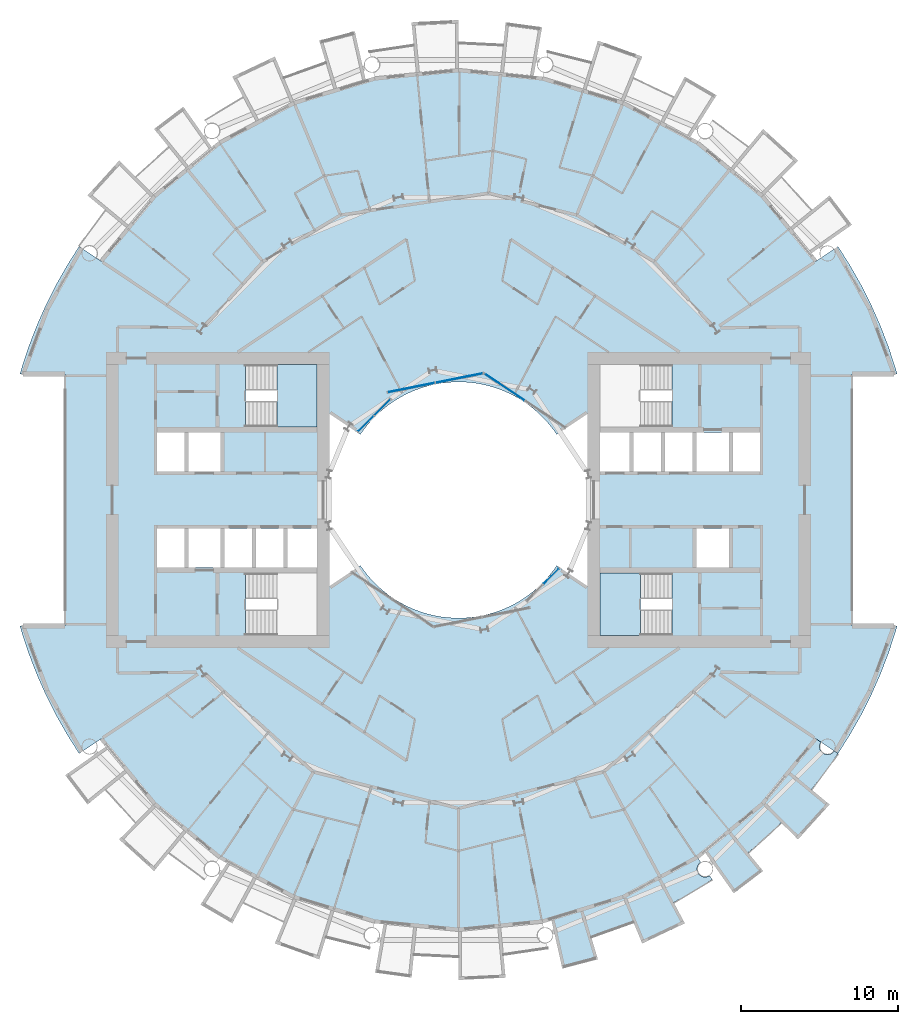
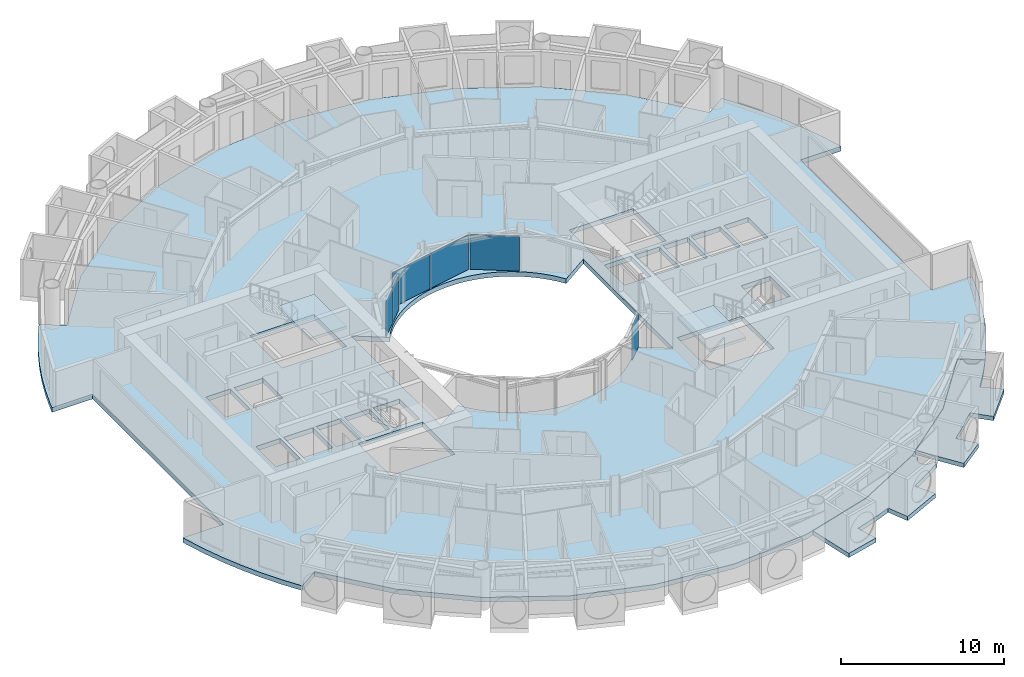
# One storey, part 10 of 26: 6 plates, 5 slabs, 6 elements without a shape of their own.
"""IFC4 building model written with IfcOpenShell, lengths in metres."""

from ifc_helpers import new_model, si_unit, direction, frame, origin, origin_2d, place, context, subcontext, project, spatial, polyline, rectangle, outline, extrude, material, layer, layer_set, type_object, element, aggregate, save


model = new_model("IFC4")

# Units and contexts
model_context = context("Model", 3, precision=1e-05, world=origin(), true_north=direction((0.0, 1.0)))
body_context = subcontext(model_context, "Body", "Model", "MODEL_VIEW")
ifc_project = project(units=[si_unit("LENGTHUNIT", "METRE"), si_unit("AREAUNIT", "SQUARE_METRE"), si_unit("VOLUMEUNIT", "CUBIC_METRE"), si_unit("PLANEANGLEUNIT", "RADIAN"), si_unit("MASSUNIT", "GRAM", prefix="KILO")], contexts=[model_context])

# Site, building, storey
site_placement = place(None, origin())
site = spatial("IfcSite", under=ifc_project, at=site_placement, CompositionType="ELEMENT")
building_placement = place(site_placement, origin())
building = spatial("IfcBuilding", under=site, at=building_placement, Name="Maasbend Ring Residences", CompositionType="ELEMENT")
storey_placement = place(building_placement, frame((0.0, 0.0, 28.89990234375)))
storey = spatial("IfcBuildingStorey", under=building, at=storey_placement, Name="L07", CompositionType="ELEMENT", Elevation=28.89990234375)

# Stair, slab
ifc_material_1 = material(Name="Concrete C40/50", Category="concrete")
stair_type = type_object("IfcStairType", Name="CORE STAIR 18 RISERS", PredefinedType="HALF_TURN_STAIR", material=ifc_material_1)
stair_1_placement = place(storey_placement, origin())
stair_1 = element("IfcStair", 1, at=stair_1_placement, inside=storey, type_object=stair_type, Name="L07 Exit stair ST-E2", PredefinedType="HALF_TURN_STAIR")
ifc_material_2 = material(Name="Concrete C40/50", Category="concrete")
ifc_layer_1 = layer(ifc_material_2, 0.199951171875)
ifc_layer_set_1 = layer_set([ifc_layer_1], Name="Concrete C40/50")
slab_type_1 = type_object("IfcSlabType", Name="CORE STAIR LANDING 200", PredefinedType="LANDING", material=ifc_layer_set_1)
slab_1_placement = place(storey_placement, frame((0.0, 0.0, 1.3251953125)))
slab_1 = element("IfcSlab", 2, at=slab_1_placement, type_object=slab_type_1, Name="ST-E2 landing 1", PredefinedType="LANDING", context=body_context, shape_type="SweptSolid", body=[
    extrude(outline(polyline([(11.550048828125, -4.64990234375), (9.0, -4.64990234375), (9.0, -8.60009765625), (11.550048828125, -8.60009765625), (11.550048828125, -4.64990234375)])), origin(), (0.0, 0.0, 1.0), 0.199951171875),
])
aggregate(stair_1, [slab_1])

stair_2_placement = place(storey_placement, origin())
stair_2 = element("IfcStair", 3, at=stair_2_placement, inside=storey, type_object=stair_type, Name="L07 Exit stair ST-W2", PredefinedType="HALF_TURN_STAIR")
slab_2_placement = place(storey_placement, frame((0.0, 0.0, 1.3251953125)))
slab_2 = element("IfcSlab", 4, at=slab_2_placement, type_object=slab_type_1, Name="ST-W2 landing 1", PredefinedType="LANDING", context=body_context, shape_type="SweptSolid", body=[
    extrude(outline(polyline([(-11.550048828125, 4.64990234375), (-9.0, 4.64990234375), (-9.0, 8.60009765625), (-11.550048828125, 8.60009765625), (-11.550048828125, 4.64990234375)])), origin(), (0.0, 0.0, 1.0), 0.199951171875),
])
aggregate(stair_2, [slab_2])

# Curtain wall, plate
ifc_material_3 = material(Name="Aluminium and clear glass", Category="aluminium")
ifc_layer_2 = layer(ifc_material_3, 0.179931640625)
ifc_layer_set_2 = layer_set([ifc_layer_2], Name="CW-W")
curtain_wall_type = type_object("IfcCurtainWallType", Name="CW-W", PredefinedType="NOTDEFINED", material=ifc_layer_set_2)
curtain_wall_1_placement = place(storey_placement, origin())
curtain_wall_1 = element("IfcCurtainWall", 5, at=curtain_wall_1_placement, inside=storey, type_object=curtain_wall_type, Name="Well curtain wall N1", PredefinedType="NOTDEFINED")
ifc_material_4 = material(Name="Glass clear laminated", Category="glass")
ifc_layer_3 = layer(ifc_material_4, 0.031982421875)
ifc_layer_set_3 = layer_set([ifc_layer_3], Name="CWP-W")
plate_type = type_object("IfcPlateType", Name="CWP-W", PredefinedType="CURTAIN_PANEL", material=ifc_layer_set_3)
plate_1_placement = place(storey_placement, frame((2.922119140625, 7.17578125, 0.0), z_axis=(0.0, 0.0, 1.0), x_axis=(-0.831469612303, 0.55557023302, 0.0)))
plate_1 = element("IfcPlate", 6, at=plate_1_placement, type_object=plate_type, Name="Glass panel well face", PredefinedType="CURTAIN_PANEL", context=body_context, shape_type="SweptSolid", body=[
    extrude(rectangle(XDim=3.053955078125, YDim=0.031982421875, at=origin_2d()), origin(), (0.0, 0.0, 1.0), 2.580078125),
])
aggregate(curtain_wall_1, [plate_1])

# Curtain wall, plates
curtain_wall_2_placement = place(storey_placement, origin())
curtain_wall_2 = element("IfcCurtainWall", 7, at=curtain_wall_2_placement, inside=storey, type_object=curtain_wall_type, Name="Well curtain wall N2", PredefinedType="NOTDEFINED")
plate_2_placement = place(storey_placement, frame((0.04638671875, 7.747802734375, 0.0), z_axis=(0.0, 0.0, 1.0), x_axis=(-0.980785280403, -0.195090322016, 0.0)))
plate_2 = element("IfcPlate", 8, at=plate_2_placement, type_object=plate_type, Name="Glass panel well face", PredefinedType="CURTAIN_PANEL", context=body_context, shape_type="SweptSolid", body=[
    extrude(rectangle(XDim=3.053955078125, YDim=0.031982421875, at=origin_2d()), origin(), (0.0, 0.0, 1.0), 2.580078125),
])
plate_3_placement = place(storey_placement, frame((-3.0078125, 7.140380859375, 0.0), z_axis=(0.0, 0.0, 1.0), x_axis=(-0.980785280403, -0.195090322016, 0.0)))
plate_3 = element("IfcPlate", 9, at=plate_3_placement, type_object=plate_type, Name="Glass panel well face", PredefinedType="CURTAIN_PANEL", context=body_context, shape_type="SweptSolid", body=[
    extrude(rectangle(XDim=3.053955078125, YDim=0.031982421875, at=origin_2d()), origin(), (0.0, 0.0, 1.0), 2.580078125),
])
aggregate(curtain_wall_2, [plate_2, plate_3])

curtain_wall_3_placement = place(storey_placement, origin())
curtain_wall_3 = element("IfcCurtainWall", 10, at=curtain_wall_3_placement, inside=storey, type_object=curtain_wall_type, Name="Well curtain wall N3", PredefinedType="NOTDEFINED")
plate_4_placement = place(storey_placement, frame((-4.84375, 5.89013671875, 0.0), z_axis=(0.0, 0.0, 1.0), x_axis=(-0.707106781187, -0.707106781187, 0.0)))
plate_4 = element("IfcPlate", 11, at=plate_4_placement, type_object=plate_type, Name="Glass panel well face", PredefinedType="CURTAIN_PANEL", context=body_context, shape_type="SweptSolid", body=[
    extrude(rectangle(XDim=1.419677734375, YDim=0.031982421875, at=origin_2d()), origin(), (0.0, 0.0, 1.0), 2.580078125),
])
plate_5_placement = place(storey_placement, frame((-5.89013671875, 4.84375, 0.0), z_axis=(0.0, 0.0, 1.0), x_axis=(-0.707106781187, -0.707106781187, 0.0)))
plate_5 = element("IfcPlate", 12, at=plate_5_placement, type_object=plate_type, Name="Glass panel well face", PredefinedType="CURTAIN_PANEL", context=body_context, shape_type="SweptSolid", body=[
    extrude(rectangle(XDim=1.419677734375, YDim=0.031982421875, at=origin_2d()), origin(), (0.0, 0.0, 1.0), 2.580078125),
])
aggregate(curtain_wall_3, [plate_4, plate_5])

# Curtain wall, plate
curtain_wall_4_placement = place(storey_placement, origin())
curtain_wall_4 = element("IfcCurtainWall", 13, at=curtain_wall_4_placement, inside=storey, type_object=curtain_wall_type, Name="Well curtain wall S3", PredefinedType="NOTDEFINED")
plate_6_placement = place(storey_placement, frame((5.89013671875, -4.84375, 0.0), z_axis=(0.0, 0.0, 1.0), x_axis=(0.707106781187, 0.707106781187, 0.0)))
plate_6 = element("IfcPlate", 14, at=plate_6_placement, type_object=plate_type, Name="Glass panel well face", PredefinedType="CURTAIN_PANEL", context=body_context, shape_type="SweptSolid", body=[
    extrude(rectangle(XDim=1.419677734375, YDim=0.031982421875, at=origin_2d()), origin(), (0.0, 0.0, 1.0), 2.580078125),
])
aggregate(curtain_wall_4, [plate_6])

# Slabs
ifc_material_5 = material(Name="Concrete C40/50", Category="concrete")
ifc_layer_4 = layer(ifc_material_5, 0.35009765625)
ifc_layer_set_4 = layer_set([ifc_layer_4], Name="Concrete C40/50")
slab_type_2 = type_object("IfcSlabType", Name="Post-tensioned flat plate 350", PredefinedType="FLOOR", material=ifc_layer_set_4)
slab_3_placement = place(storey_placement, frame((0.0, 0.0, -0.349853515625)))
element("IfcSlab", 15, at=slab_3_placement, inside=storey, type_object=slab_type_2, Name="Floor slab L07", PredefinedType="FLOOR", context=body_context, shape_type="SweptSolid", body=[
    extrude(outline(polyline([(24.8740234375, -14.908935546875), (25.57568359375, -13.67041015625), (26.2158203125, -12.399169921875), (26.79248046875, -11.097900390625), (27.3046875, -9.769775390625), (27.751220703125, -8.418212890625), (27.866943359375, -8.0), (25.0, -8.0), (25.0, 8.0), (27.866943359375, 8.0), (27.751220703125, 8.418212890625), (27.3046875, 9.769775390625), (26.79248046875, 11.097900390625), (26.2158203125, 12.399169921875), (25.57568359375, 13.67041015625), (24.8740234375, 14.908935546875), (24.112548828125, 16.111572265625), (22.69921875, 15.1669921875), (19.303955078125, 19.303955078125), (15.1669921875, 22.69921875), (10.447265625, 25.221923828125), (5.325927734375, 26.775390625), (0.0, 27.300048828125), (-5.325927734375, 26.775390625), (-10.447265625, 25.221923828125), (-15.1669921875, 22.69921875), (-19.303955078125, 19.303955078125), (-22.69921875, 15.1669921875), (-24.112548828125, 16.111572265625), (-24.8740234375, 14.908935546875), (-25.57568359375, 13.67041015625), (-26.2158203125, 12.399169921875), (-26.79248046875, 11.097900390625), (-27.3046875, 9.769775390625), (-27.751220703125, 8.418212890625), (-27.866943359375, 8.0), (-25.0, 8.0), (-25.0, -8.0), (-27.866943359375, -8.0), (-27.751220703125, -8.418212890625), (-27.3046875, -9.769775390625), (-26.79248046875, -11.097900390625), (-26.2158203125, -12.399169921875), (-25.57568359375, -13.67041015625), (-24.8740234375, -14.908935546875), (-24.112548828125, -16.111572265625), (-22.69921875, -15.1669921875), (-19.303955078125, -19.303955078125), (-15.1669921875, -22.69921875), (-10.447265625, -25.221923828125), (-5.325927734375, -26.775390625), (0.0, -27.300048828125), (5.325927734375, -26.775390625), (10.447265625, -25.221923828125), (15.1669921875, -22.69921875), (19.303955078125, -19.303955078125), (22.69921875, -15.1669921875), (24.112548828125, -16.111572265625), (24.8740234375, -14.908935546875)]), holes=[polyline([(17.425048828125, 4.27490234375), (19.14990234375, 4.27490234375), (19.14990234375, 1.824951171875), (17.425048828125, 1.824951171875), (17.425048828125, 4.27490234375)]), polyline([(15.125, 1.824951171875), (15.125, 4.27490234375), (17.175048828125, 4.27490234375), (17.175048828125, 1.824951171875), (15.125, 1.824951171875)]), polyline([(15.125, -4.27490234375), (15.125, -1.824951171875), (17.175048828125, -1.824951171875), (17.175048828125, -4.27490234375), (15.125, -4.27490234375)]), polyline([(13.125, 1.824951171875), (13.125, 4.27490234375), (14.875, 4.27490234375), (14.875, 1.824951171875), (13.125, 1.824951171875)]), polyline([(13.550048828125, 4.64990234375), (9.0, 4.64990234375), (9.0, 8.60009765625), (13.550048828125, 8.60009765625), (13.550048828125, 4.64990234375)]), polyline([(13.550048828125, -4.64990234375), (13.550048828125, -8.60009765625), (9.0, -8.60009765625), (9.0, -4.64990234375), (13.550048828125, -4.64990234375)]), polyline([(11.125, 1.824951171875), (11.125, 4.27490234375), (12.875, 4.27490234375), (12.875, 1.824951171875), (11.125, 1.824951171875)]), polyline([(9.0, 1.824951171875), (9.0, 4.27490234375), (10.875, 4.27490234375), (10.875, 1.824951171875), (9.0, 1.824951171875)]), polyline([(6.024169921875, 4.4677734375), (6.236083984375, 4.166748046875), (8.199951171875, 5.47900390625), (8.199951171875, -5.47900390625), (6.236083984375, -4.166748046875), (6.024169921875, -4.4677734375), (5.797607421875, -4.7578125), (5.55712890625, -5.03662109375), (5.30322265625, -5.30322265625), (5.03662109375, -5.55712890625), (4.7578125, -5.797607421875), (4.4677734375, -6.024169921875), (4.166748046875, -6.236083984375), (3.855712890625, -6.43310546875), (3.535400390625, -6.614501953125), (3.206787109375, -6.77978515625), (2.8701171875, -6.92919921875), (2.526611328125, -7.0615234375), (2.177001953125, -7.177001953125), (1.822509765625, -7.275146484375), (1.463134765625, -7.35595703125), (1.1005859375, -7.418701171875), (0.735107421875, -7.4638671875), (0.367919921875, -7.490966796875), (0.0, -7.5), (-0.367919921875, -7.490966796875), (-0.735107421875, -7.4638671875), (-1.1005859375, -7.418701171875), (-1.463134765625, -7.35595703125), (-1.822509765625, -7.275146484375), (-2.177001953125, -7.177001953125), (-2.526611328125, -7.0615234375), (-2.8701171875, -6.92919921875), (-3.206787109375, -6.77978515625), (-3.535400390625, -6.614501953125), (-3.855712890625, -6.43310546875), (-4.166748046875, -6.236083984375), (-4.4677734375, -6.024169921875), (-4.7578125, -5.797607421875), (-5.03662109375, -5.55712890625), (-5.30322265625, -5.30322265625), (-5.55712890625, -5.03662109375), (-5.797607421875, -4.7578125), (-6.024169921875, -4.4677734375), (-6.236083984375, -4.166748046875), (-8.199951171875, -5.47900390625), (-8.199951171875, 5.47900390625), (-6.236083984375, 4.166748046875), (-6.236083984375, 4.166748046875), (-6.024169921875, 4.4677734375), (-5.797607421875, 4.7578125), (-5.55712890625, 5.03662109375), (-5.30322265625, 5.30322265625), (-5.03662109375, 5.55712890625), (-4.7578125, 5.797607421875), (-4.4677734375, 6.024169921875), (-4.166748046875, 6.236083984375), (-3.855712890625, 6.43310546875), (-3.535400390625, 6.614501953125), (-3.206787109375, 6.77978515625), (-2.8701171875, 6.92919921875), (-2.526611328125, 7.0615234375), (-2.177001953125, 7.177001953125), (-1.822509765625, 7.275146484375), (-1.463134765625, 7.35595703125), (-1.1005859375, 7.418701171875), (-0.735107421875, 7.4638671875), (-0.367919921875, 7.490966796875), (0.0, 7.5), (0.367919921875, 7.490966796875), (0.735107421875, 7.4638671875), (1.1005859375, 7.418701171875), (1.463134765625, 7.35595703125), (1.822509765625, 7.275146484375), (2.177001953125, 7.177001953125), (2.526611328125, 7.0615234375), (2.8701171875, 6.92919921875), (3.206787109375, 6.77978515625), (3.535400390625, 6.614501953125), (3.855712890625, 6.43310546875), (4.166748046875, 6.236083984375), (4.4677734375, 6.024169921875), (4.7578125, 5.797607421875), (5.03662109375, 5.55712890625), (5.30322265625, 5.30322265625), (5.55712890625, 5.03662109375), (5.797607421875, 4.7578125), (6.024169921875, 4.4677734375)]), polyline([(-13.550048828125, 4.64990234375), (-13.550048828125, 8.60009765625), (-9.0, 8.60009765625), (-9.0, 4.64990234375), (-13.550048828125, 4.64990234375)]), polyline([(-13.550048828125, -8.60009765625), (-13.550048828125, -4.64990234375), (-9.0, -4.64990234375), (-9.0, -8.60009765625), (-13.550048828125, -8.60009765625)]), polyline([(-9.0, -1.824951171875), (-9.0, -4.27490234375), (-10.875, -4.27490234375), (-10.875, -1.824951171875), (-9.0, -1.824951171875)]), polyline([(-11.125, -1.824951171875), (-11.125, -4.27490234375), (-12.875, -4.27490234375), (-12.875, -1.824951171875), (-11.125, -1.824951171875)]), polyline([(-13.125, -1.824951171875), (-13.125, -4.27490234375), (-14.875, -4.27490234375), (-14.875, -1.824951171875), (-13.125, -1.824951171875)]), polyline([(-15.125, 4.27490234375), (-15.125, 1.824951171875), (-17.175048828125, 1.824951171875), (-17.175048828125, 4.27490234375), (-15.125, 4.27490234375)]), polyline([(-15.125, -1.824951171875), (-15.125, -4.27490234375), (-17.175048828125, -4.27490234375), (-17.175048828125, -1.824951171875), (-15.125, -1.824951171875)]), polyline([(-17.425048828125, -1.824951171875), (-17.425048828125, -4.27490234375), (-19.14990234375, -4.27490234375), (-19.14990234375, -1.824951171875), (-17.425048828125, -1.824951171875)]), polyline([(-17.425048828125, 4.27490234375), (-17.425048828125, 1.824951171875), (-19.14990234375, 1.824951171875), (-19.14990234375, 4.27490234375), (-17.425048828125, 4.27490234375)])]), origin(), (0.0, 0.0, 1.0), 0.349853515625),
])
ifc_material_6 = material(Name="Concrete C40/50", Category="concrete")
ifc_layer_5 = layer(ifc_material_6, 0.199951171875)
ifc_layer_set_5 = layer_set([ifc_layer_5], Name="Concrete C40/50")
slab_type_3 = type_object("IfcSlabType", Name="SL-LOGGIA", PredefinedType="FLOOR", material=ifc_layer_set_5)
slab_4_placement = place(storey_placement, frame((0.0, 0.0, -0.349853515625)))
element("IfcSlab", 16, at=slab_4_placement, inside=storey, type_object=slab_type_3, Name="Loggia floor 1", PredefinedType="FLOOR", context=body_context, shape_type="SweptSolid", body=[
    extrude(outline(polyline([(10.447021484375, -25.221923828125), (12.806884765625, -23.9609375), (15.1669921875, -22.698974609375), (15.1669921875, -22.698974609375), (15.1669921875, -22.698974609375), (15.385009765625, -23.02490234375), (15.375, -23.031982421875), (15.364013671875, -23.0390625), (15.35498046875, -23.047119140625), (15.344970703125, -23.054931640625), (15.3349609375, -23.06298828125), (15.325927734375, -23.071044921875), (15.31689453125, -23.0791015625), (15.30810546875, -23.087890625), (15.299072265625, -23.096923828125), (15.291015625, -23.10595703125), (15.281982421875, -23.115966796875), (15.27392578125, -23.125), (15.26708984375, -23.135009765625), (15.259033203125, -23.14501953125), (15.251953125, -23.155029296875), (15.2451171875, -23.1650390625), (15.238037109375, -23.176025390625), (15.23095703125, -23.18603515625), (15.22509765625, -23.197021484375), (15.218994140625, -23.2080078125), (15.212890625, -23.218994140625), (15.2080078125, -23.22998046875), (15.202880859375, -23.241943359375), (15.197998046875, -23.2529296875), (15.193115234375, -23.264892578125), (15.18896484375, -23.27587890625), (15.18505859375, -23.2880859375), (15.180908203125, -23.300048828125), (15.177978515625, -23.31201171875), (15.174072265625, -23.323974609375), (15.1708984375, -23.3359375), (15.1689453125, -23.347900390625), (15.1669921875, -23.361083984375), (15.1650390625, -23.373046875), (15.1630859375, -23.385009765625), (15.162109375, -23.39794921875), (15.159912109375, -23.409912109375), (15.159912109375, -23.422119140625), (15.158935546875, -23.43505859375), (15.158935546875, -23.447021484375), (15.158935546875, -23.4599609375), (15.159912109375, -23.471923828125), (15.159912109375, -23.485107421875), (15.162109375, -23.4970703125), (15.1630859375, -23.510009765625), (15.1650390625, -23.52197265625), (15.1669921875, -23.533935546875), (15.1689453125, -23.547119140625), (15.1708984375, -23.55908203125), (15.174072265625, -23.571044921875), (15.177978515625, -23.5830078125), (15.180908203125, -23.594970703125), (15.18505859375, -23.60693359375), (15.18896484375, -23.618896484375), (15.193115234375, -23.6298828125), (15.197998046875, -23.64208984375), (15.202880859375, -23.653076171875), (15.2080078125, -23.6650390625), (15.212890625, -23.676025390625), (15.218994140625, -23.68701171875), (15.22509765625, -23.697998046875), (15.23095703125, -23.708984375), (15.238037109375, -23.718994140625), (15.2451171875, -23.72998046875), (15.251953125, -23.739990234375), (15.259033203125, -23.75), (15.26708984375, -23.760009765625), (15.27392578125, -23.77001953125), (15.281982421875, -23.779052734375), (15.291015625, -23.7890625), (15.299072265625, -23.798095703125), (15.30810546875, -23.806884765625), (15.31689453125, -23.81494140625), (15.325927734375, -23.823974609375), (15.3349609375, -23.83203125), (15.344970703125, -23.840087890625), (15.35498046875, -23.847900390625), (15.364013671875, -23.85498046875), (15.375, -23.863037109375), (15.385009765625, -23.8701171875), (15.39501953125, -23.876953125), (15.406005859375, -23.883056640625), (15.4169921875, -23.888916015625), (15.427978515625, -23.89501953125), (15.43896484375, -23.90087890625), (15.449951171875, -23.906982421875), (15.4609375, -23.912109375), (15.472900390625, -23.9169921875), (15.48388671875, -23.9208984375), (15.49609375, -23.926025390625), (15.508056640625, -23.929931640625), (15.52001953125, -23.93408203125), (15.531982421875, -23.93701171875), (15.5439453125, -23.93994140625), (15.555908203125, -23.943115234375), (15.568115234375, -23.946044921875), (15.580078125, -23.947998046875), (15.593017578125, -23.949951171875), (15.60498046875, -23.951904296875), (15.616943359375, -23.952880859375), (15.6298828125, -23.9541015625), (15.64208984375, -23.955078125), (15.655029296875, -23.955078125), (15.6669921875, -23.955078125), (15.679931640625, -23.955078125), (15.69189453125, -23.955078125), (15.7041015625, -23.9541015625), (15.717041015625, -23.952880859375), (15.72900390625, -23.951904296875), (15.741943359375, -23.949951171875), (15.75390625, -23.947998046875), (15.76611328125, -23.946044921875), (15.778076171875, -23.943115234375), (15.791015625, -23.93994140625), (15.802978515625, -23.93701171875), (15.81494140625, -23.93408203125), (15.825927734375, -23.929931640625), (15.837890625, -23.926025390625), (15.85009765625, -23.9208984375), (15.862060546875, -23.9169921875), (15.873046875, -23.912109375), (15.884033203125, -23.906982421875), (15.89599609375, -23.90087890625), (15.906982421875, -23.89501953125), (15.9169921875, -23.888916015625), (15.927978515625, -23.883056640625), (15.93896484375, -23.876953125), (15.948974609375, -23.8701171875), (16.112060546875, -24.113037109375), (16.112060546875, -24.113037109375), (16.112060546875, -24.113037109375), (15.31396484375, -24.626953125), (15.31396484375, -24.626953125), (14.5, -25.114990234375), (14.5, -25.114990234375), (13.6708984375, -25.574951171875), (13.6708984375, -25.575927734375), (13.6708984375, -25.575927734375), (13.6708984375, -25.575927734375), (13.6708984375, -25.575927734375), (13.6708984375, -25.575927734375), (13.6708984375, -25.575927734375), (13.6708984375, -25.575927734375), (13.6708984375, -25.575927734375), (13.6708984375, -25.575927734375), (13.6708984375, -25.575927734375), (13.6708984375, -25.575927734375), (13.6708984375, -25.575927734375), (13.6708984375, -25.575927734375), (13.6708984375, -25.575927734375), (13.6708984375, -25.575927734375), (13.6708984375, -25.575927734375), (14.3779296875, -26.89892578125), (14.3779296875, -26.89892578125), (14.3779296875, -26.89892578125), (11.672119140625, -28.177978515625), (11.672119140625, -28.177978515625), (11.672119140625, -28.177978515625), (11.097900390625, -26.79296875), (11.097900390625, -26.79296875), (11.097900390625, -26.79296875), (11.097900390625, -26.79296875), (11.097900390625, -26.79296875), (11.097900390625, -26.79296875), (11.097900390625, -26.79296875), (11.097900390625, -26.79296875), (11.097900390625, -26.79296875), (11.097900390625, -26.79296875), (11.097900390625, -26.79296875), (11.097900390625, -26.79296875), (11.097900390625, -26.79296875), (11.097900390625, -26.79296875), (11.096923828125, -26.79296875), (11.096923828125, -26.79296875), (11.096923828125, -26.79296875), (10.215087890625, -27.14111328125), (10.215087890625, -27.14111328125), (9.322021484375, -27.4609375), (9.322021484375, -27.4609375), (8.4189453125, -27.7509765625), (8.4189453125, -27.7509765625), (8.4189453125, -27.7509765625), (8.4189453125, -27.7509765625), (8.4189453125, -27.7509765625), (8.4189453125, -27.7509765625), (8.41796875, -27.7509765625), (8.41796875, -27.7509765625), (8.41796875, -27.7509765625), (8.41796875, -27.7509765625), (8.41796875, -27.7509765625), (8.41796875, -27.751953125), (8.41796875, -27.751953125), (8.41796875, -27.751953125), (8.41796875, -27.751953125), (8.41796875, -27.751953125), (8.41796875, -27.751953125), (8.85400390625, -29.18701171875), (8.85400390625, -29.18701171875), (8.85400390625, -29.18701171875), (6.593994140625, -29.779052734375), (6.593994140625, -29.779052734375), (6.593994140625, -29.779052734375), (5.89111328125, -26.60400390625), (5.89111328125, -26.60400390625), (5.89111328125, -26.60400390625), (7.886962890625, -25.9990234375), (10.447021484375, -25.221923828125), (10.447021484375, -25.221923828125), (10.447021484375, -25.221923828125)])), origin(), (0.0, 0.0, 1.0), 0.320068359375),
])
slab_5_placement = place(storey_placement, frame((0.0, 0.0, -0.349853515625)))
element("IfcSlab", 17, at=slab_5_placement, inside=storey, type_object=slab_type_3, Name="Loggia floor 4", PredefinedType="FLOOR", context=body_context, shape_type="SweptSolid", body=[
    extrude(outline(polyline([(19.303955078125, -19.303955078125), (21.001953125, -17.236083984375), (22.698974609375, -15.1669921875), (22.698974609375, -15.1669921875), (22.698974609375, -15.1669921875), (23.02490234375, -15.385009765625), (23.02490234375, -15.385009765625), (23.01806640625, -15.39501953125), (23.011962890625, -15.406005859375), (23.0048828125, -15.4169921875), (22.9990234375, -15.427978515625), (22.993896484375, -15.43896484375), (22.988037109375, -15.449951171875), (22.98291015625, -15.4609375), (22.97802734375, -15.472900390625), (22.972900390625, -15.48388671875), (22.968994140625, -15.49609375), (22.965087890625, -15.508056640625), (22.9609375, -15.52001953125), (22.9580078125, -15.531982421875), (22.955078125, -15.5439453125), (22.951904296875, -15.555908203125), (22.948974609375, -15.568115234375), (22.947021484375, -15.580078125), (22.945068359375, -15.593017578125), (22.943115234375, -15.60498046875), (22.94189453125, -15.616943359375), (22.94091796875, -15.6298828125), (22.93994140625, -15.64208984375), (22.93994140625, -15.655029296875), (22.93896484375, -15.6669921875), (22.93994140625, -15.679931640625), (22.93994140625, -15.69189453125), (22.94091796875, -15.7041015625), (22.94189453125, -15.717041015625), (22.943115234375, -15.72900390625), (22.945068359375, -15.741943359375), (22.947021484375, -15.75390625), (22.948974609375, -15.76611328125), (22.951904296875, -15.778076171875), (22.955078125, -15.791015625), (22.9580078125, -15.802978515625), (22.9609375, -15.81494140625), (22.965087890625, -15.825927734375), (22.968994140625, -15.837890625), (22.972900390625, -15.85009765625), (22.97802734375, -15.862060546875), (22.98291015625, -15.873046875), (22.988037109375, -15.884033203125), (22.993896484375, -15.89599609375), (22.9990234375, -15.906982421875), (23.0048828125, -15.9169921875), (23.011962890625, -15.927978515625), (23.01806640625, -15.93896484375), (23.02490234375, -15.948974609375), (23.031982421875, -15.9599609375), (23.0390625, -15.969970703125), (23.047119140625, -15.97998046875), (23.054931640625, -15.989013671875), (23.06298828125, -15.9990234375), (23.071044921875, -16.008056640625), (23.0791015625, -16.01708984375), (23.087890625, -16.02587890625), (23.096923828125, -16.034912109375), (23.10595703125, -16.0439453125), (23.115966796875, -16.052001953125), (23.125, -16.06005859375), (23.135009765625, -16.068115234375), (23.14501953125, -16.074951171875), (23.155029296875, -16.08203125), (23.1650390625, -16.089111328125), (23.176025390625, -16.095947265625), (23.18603515625, -16.10302734375), (23.197021484375, -16.10888671875), (23.2080078125, -16.114990234375), (23.218994140625, -16.12109375), (23.22998046875, -16.1259765625), (23.241943359375, -16.132080078125), (23.2529296875, -16.135986328125), (23.264892578125, -16.14111328125), (23.27587890625, -16.14501953125), (23.2880859375, -16.14892578125), (23.300048828125, -16.153076171875), (23.31201171875, -16.156982421875), (23.323974609375, -16.159912109375), (23.3359375, -16.1630859375), (23.347900390625, -16.1650390625), (23.361083984375, -16.16796875), (23.373046875, -16.169921875), (23.385009765625, -16.1708984375), (23.39794921875, -16.173095703125), (23.409912109375, -16.174072265625), (23.422119140625, -16.174072265625), (23.43505859375, -16.175048828125), (23.447021484375, -16.175048828125), (23.4599609375, -16.175048828125), (23.471923828125, -16.174072265625), (23.485107421875, -16.174072265625), (23.4970703125, -16.173095703125), (23.510009765625, -16.1708984375), (23.52197265625, -16.169921875), (23.533935546875, -16.16796875), (23.547119140625, -16.1650390625), (23.55908203125, -16.1630859375), (23.571044921875, -16.159912109375), (23.5830078125, -16.156982421875), (23.594970703125, -16.153076171875), (23.60693359375, -16.14892578125), (23.618896484375, -16.14501953125), (23.6298828125, -16.14111328125), (23.64208984375, -16.135986328125), (23.653076171875, -16.132080078125), (23.6650390625, -16.1259765625), (23.676025390625, -16.12109375), (23.68701171875, -16.114990234375), (23.697998046875, -16.10888671875), (23.708984375, -16.10302734375), (23.718994140625, -16.095947265625), (23.72998046875, -16.089111328125), (23.739990234375, -16.08203125), (23.75, -16.074951171875), (23.760009765625, -16.068115234375), (23.77001953125, -16.06005859375), (23.779052734375, -16.052001953125), (23.7890625, -16.0439453125), (23.798095703125, -16.034912109375), (23.806884765625, -16.02587890625), (23.81494140625, -16.01708984375), (23.823974609375, -16.008056640625), (23.83203125, -15.9990234375), (23.840087890625, -15.989013671875), (23.847900390625, -15.97998046875), (23.85498046875, -15.969970703125), (23.863037109375, -15.9599609375), (23.8701171875, -15.948974609375), (23.8701171875, -15.948974609375), (24.113037109375, -16.112060546875), (24.113037109375, -16.112060546875), (24.113037109375, -16.112060546875), (23.572998046875, -16.89208984375), (23.572998046875, -16.89208984375), (23.007080078125, -17.654052734375), (23.007080078125, -17.654052734375), (22.41796875, -18.39697265625), (22.41796875, -18.39697265625), (22.41796875, -18.39697265625), (22.41796875, -18.39697265625), (22.41796875, -18.39697265625), (22.41796875, -18.39697265625), (22.41796875, -18.39697265625), (22.41796875, -18.39697265625), (22.41796875, -18.39697265625), (22.41796875, -18.39697265625), (22.41796875, -18.39697265625), (22.41796875, -18.39794921875), (22.41796875, -18.39794921875), (22.41796875, -18.39794921875), (22.41796875, -18.39794921875), (22.41796875, -18.39794921875), (22.41796875, -18.39794921875), (23.576904296875, -19.34912109375), (23.576904296875, -19.34912109375), (23.576904296875, -19.34912109375), (21.56689453125, -21.56689453125), (21.56689453125, -21.56689453125), (21.56689453125, -21.56689453125), (20.506103515625, -20.506103515625), (20.506103515625, -20.506103515625), (20.506103515625, -20.506103515625), (20.506103515625, -20.506103515625), (20.506103515625, -20.506103515625), (20.506103515625, -20.506103515625), (20.506103515625, -20.506103515625), (20.506103515625, -20.506103515625), (20.506103515625, -20.506103515625), (20.506103515625, -20.506103515625), (20.506103515625, -20.506103515625), (20.506103515625, -20.506103515625), (20.506103515625, -20.506103515625), (20.506103515625, -20.506103515625), (20.506103515625, -20.506103515625), (20.506103515625, -20.506103515625), (20.506103515625, -20.506103515625), (19.823974609375, -21.166015625), (19.823974609375, -21.166015625), (19.12109375, -21.802978515625), (19.12109375, -21.802978515625), (18.39794921875, -22.4169921875), (18.39794921875, -22.4169921875), (18.39794921875, -22.4169921875), (18.39794921875, -22.4169921875), (18.39794921875, -22.4169921875), (18.39794921875, -22.4169921875), (18.39794921875, -22.4169921875), (18.39794921875, -22.4169921875), (18.39794921875, -22.4169921875), (18.39794921875, -22.4169921875), (18.39794921875, -22.4169921875), (18.39794921875, -22.4169921875), (18.39794921875, -22.41796875), (18.39794921875, -22.41796875), (18.39794921875, -22.41796875), (18.39794921875, -22.41796875), (18.39794921875, -22.41796875), (19.34912109375, -23.576904296875), (19.34912109375, -23.576904296875), (19.34912109375, -23.576904296875), (17.488037109375, -24.989013671875), (17.488037109375, -24.989013671875), (17.488037109375, -24.989013671875), (15.623046875, -22.324951171875), (15.623046875, -22.324951171875), (15.623046875, -22.324951171875), (17.236083984375, -21.001953125), (19.303955078125, -19.303955078125), (19.303955078125, -19.303955078125), (19.303955078125, -19.303955078125)])), origin(), (0.0, 0.0, 1.0), 0.320068359375),
])

save(model, "model.ifc")
